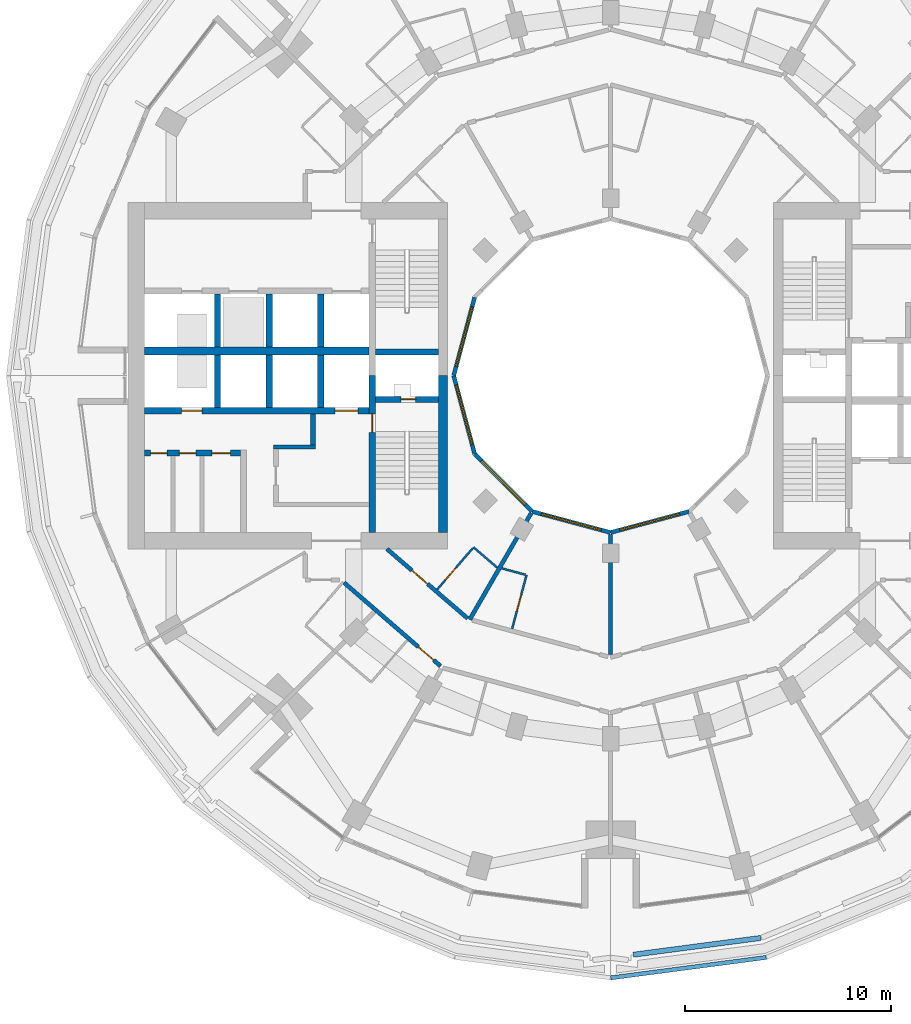
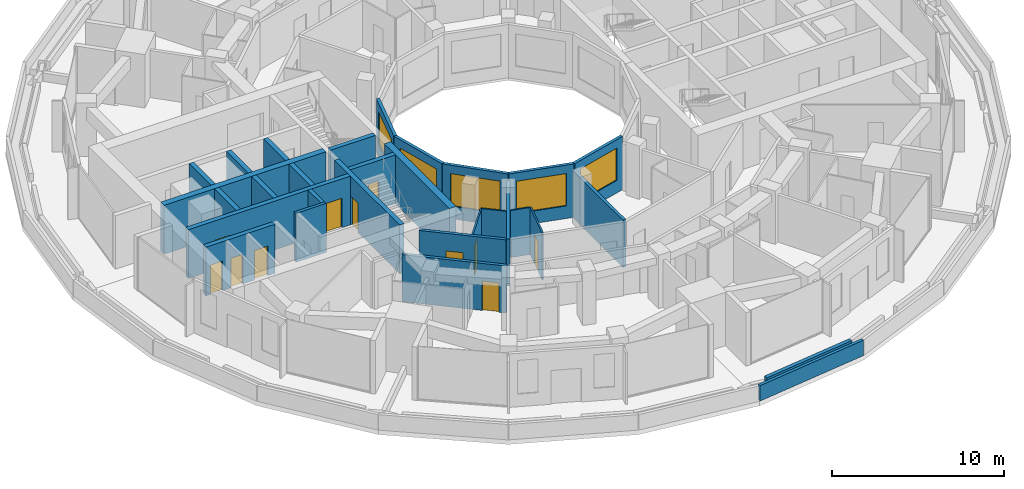
# One storey, part 11 of 19: 30 walls, 11 doors, 5 windows, 16 openings.
"""IFC4 building model written with IfcOpenShell, lengths in metres."""

from ifc_helpers import new_model, si_unit, direction, frame, frame_2d, origin, place, context, subcontext, project, spatial, rectangle, extrude, material, layer, layer_set, type_object, element, fill, save


model = new_model("IFC4")

# Units and contexts
model_context = context("Model", 3, precision=1e-05, world=origin(), true_north=direction((0.0, 1.0)))
body_context = subcontext(model_context, "Body", "Model", "MODEL_VIEW")
ifc_project = project(units=[si_unit("LENGTHUNIT", "METRE"), si_unit("AREAUNIT", "SQUARE_METRE"), si_unit("VOLUMEUNIT", "CUBIC_METRE"), si_unit("PLANEANGLEUNIT", "RADIAN"), si_unit("MASSUNIT", "GRAM", prefix="KILO")], contexts=[model_context])

# Site, building, storey
site_placement = place(None, origin())
site = spatial("IfcSite", under=ifc_project, at=site_placement, CompositionType="ELEMENT")
building_placement = place(site_placement, origin())
building = spatial("IfcBuilding", under=site, at=building_placement, Name="Torre Brocal", CompositionType="ELEMENT")
storey_placement = place(building_placement, frame((0.0, 0.0, 28.800048828125)))
storey = spatial("IfcBuildingStorey", under=building, at=storey_placement, Name="L05", CompositionType="ELEMENT", Elevation=28.800048828125)

# Walls
ifc_material_1 = material(Name="Concrete C80", Category="concrete")
ifc_layer_1 = layer(ifc_material_1, 0.199951171875)
ifc_layer_set_1 = layer_set([ifc_layer_1], Name="Concrete C80")
wall_type_1 = type_object("IfcWallType", Name="CORE WALL 200 C80", PredefinedType="SHEAR", material=ifc_layer_set_1)
wall_1_placement = place(storey_placement, frame((65.699951171875, 71.550048828125, 0.0), z_axis=(0.0, 0.0, 1.0), x_axis=(-1.0, 0.0, 0.0)))
element("IfcWall", 1, at=wall_1_placement, inside=storey, type_object=wall_type_1, Name="Wall CW200-80", PredefinedType="SHEAR", context=body_context, shape_type="SweptSolid", body=[
    extrude(rectangle(XDim=2.050048828125, YDim=0.199951171875, at=frame_2d((1.02490234375, 0.0))), origin(), (0.0, 0.0, 1.0), 3.47998046875),
])
ifc_material_2 = material(Name="Concrete C80", Category="concrete")
ifc_layer_2 = layer(ifc_material_2, 0.25)
ifc_layer_set_2 = layer_set([ifc_layer_2], Name="Concrete C80")
wall_type_2 = type_object("IfcWallType", Name="CORE WALL 250 C80", PredefinedType="SHEAR", material=ifc_layer_set_2)
wall_2_placement = place(storey_placement, frame((65.574951171875, 73.14990234375, 0.0), z_axis=(0.0, 0.0, 1.0), x_axis=(0.0, -1.0, 0.0)))
element("IfcWall", 2, at=wall_2_placement, inside=storey, type_object=wall_type_2, Name="Wall CW250-80", PredefinedType="SHEAR", context=body_context, shape_type="SweptSolid", body=[
    extrude(rectangle(XDim=1.5, YDim=0.25, at=frame_2d((0.75, 0.0))), origin(), (0.0, 0.0, 1.0), 3.47998046875),
])

# Wall, opening, door
ifc_material_3 = material(Name="Concrete C80", Category="concrete")
ifc_layer_3 = layer(ifc_material_3, 0.300048828125)
ifc_layer_set_3 = layer_set([ifc_layer_3], Name="Concrete C80")
wall_type_3 = type_object("IfcWallType", Name="CORE WALL 300 C80", PredefinedType="SHEAR", material=ifc_layer_set_3)
wall_3_placement = place(storey_placement, frame((68.449951171875, 75.0, 0.0), z_axis=(0.0, 0.0, 1.0), x_axis=(0.0, -1.0, 0.0)))
wall_3 = element("IfcWall", 3, at=wall_3_placement, inside=storey, type_object=wall_type_3, Name="Wall CW300-80", PredefinedType="SHEAR", context=body_context, shape_type="SweptSolid", body=[
    extrude(rectangle(XDim=7.60009765625, YDim=0.300048828125, at=frame_2d((3.800048828125, 0.0))), origin(), (0.0, 0.0, 1.0), 3.47998046875),
])
opening_1_placement = place(wall_3_placement, frame((1.85009765625, 0.0, 0.0)))
opening_1 = element("IfcOpeningElement", 4, at=opening_1_placement, cuts=wall_3, Name="Opening W-D02", PredefinedType="OPENING", context=body_context, shape_type="SweptSolid", body=[
    extrude(rectangle(XDim=0.89990234375, YDim=2.10009765625, at=frame_2d((0.449951171875, 1.050048828125))), frame((0.0, 0.159912109375, 0.0), z_axis=(0.0, -1.0, 0.0), x_axis=(1.0, 0.0, 0.0)), (0.0, 0.0, 1.0), 0.320068359375),
])
ifc_material_4 = material(Name="Steel A653", Category="steel")
door_type_1 = type_object("IfcDoorType", Name="STAIR DOOR FD120 900X2100", OperationType="SINGLE_SWING_RIGHT", PredefinedType="DOOR", material=ifc_material_4)
door_1_placement = place(opening_1_placement, origin())
door_1 = element("IfcDoor", 5, at=door_1_placement, inside=storey, type_object=door_type_1, Name="Door W-D02", OperationType="SINGLE_SWING_LEFT", OverallHeight=2.10009765625, OverallWidth=0.89990234375, PredefinedType="DOOR", context=body_context, shape_type="SweptSolid", body=[
    extrude(rectangle(XDim=0.89990234375, YDim=2.10009765625, at=frame_2d((0.449951171875, 1.050048828125))), frame((0.0, 0.02490234375, 0.0), z_axis=(0.0, -1.0, 0.0), x_axis=(1.0, 0.0, 0.0)), (0.0, 0.0, 1.0), 0.050048828125),
])
fill(opening_1, door_1)

wall_4_placement = place(storey_placement, frame((71.64990234375, 73.85009765625, 0.0), z_axis=(0.0, 0.0, 1.0), x_axis=(-1.0, 0.0, 0.0)))
wall_4 = element("IfcWall", 6, at=wall_4_placement, inside=storey, type_object=wall_type_3, Name="Wall CW300-80", PredefinedType="SHEAR", context=body_context, shape_type="SweptSolid", body=[
    extrude(rectangle(XDim=3.0498046875, YDim=0.300048828125, at=frame_2d((1.52490234375, 0.0))), origin(), (0.0, 0.0, 1.0), 3.47998046875),
])
opening_2_placement = place(wall_4_placement, frame((1.10009765625, 0.0, 0.0)))
opening_2 = element("IfcOpeningElement", 7, at=opening_2_placement, cuts=wall_4, Name="Opening W-D01", PredefinedType="OPENING", context=body_context, shape_type="SweptSolid", body=[
    extrude(rectangle(XDim=0.699951171875, YDim=2.0, at=frame_2d((0.35009765625, 1.0))), frame((0.0, 0.159912109375, 0.0), z_axis=(0.0, -1.0, 0.0), x_axis=(1.0, 0.0, 0.0)), (0.0, 0.0, 1.0), 0.320068359375),
])
ifc_material_5 = material(Name="Steel A653", Category="steel")
door_type_2 = type_object("IfcDoorType", Name="RISER DOOR FD120 700X2000", OperationType="SINGLE_SWING_LEFT", PredefinedType="DOOR", material=ifc_material_5)
door_2_placement = place(opening_2_placement, frame((0.699951171875, 0.0, 0.0), z_axis=(0.0, 0.0, 1.0), x_axis=(-1.0, 0.0, 0.0)))
door_2 = element("IfcDoor", 8, at=door_2_placement, inside=storey, type_object=door_type_2, Name="Door W-D01", OperationType="SINGLE_SWING_RIGHT", OverallHeight=2.0, OverallWidth=0.699951171875, PredefinedType="DOOR", context=body_context, shape_type="SweptSolid", body=[
    extrude(rectangle(XDim=0.699951171875, YDim=2.0, at=frame_2d((0.35009765625, 1.0))), frame((0.0, 0.02490234375, 0.0), z_axis=(0.0, -1.0, 0.0), x_axis=(1.0, 0.0, 0.0)), (0.0, 0.0, 1.0), 0.050048828125),
])
fill(opening_2, door_2)

# Wall
wall_5_placement = place(storey_placement, frame((71.64990234375, 76.14990234375, 0.0), z_axis=(0.0, 0.0, 1.0), x_axis=(-1.0, 0.0, 0.0)))
element("IfcWall", 9, at=wall_5_placement, inside=storey, type_object=wall_type_3, Name="Wall CW300-80", PredefinedType="SHEAR", context=body_context, shape_type="SweptSolid", body=[
    extrude(rectangle(XDim=3.0498046875, YDim=0.300048828125, at=frame_2d((1.52490234375, 0.0))), origin(), (0.0, 0.0, 1.0), 3.47998046875),
])

# Wall, openings, doors
wall_6_placement = place(storey_placement, frame((68.300048828125, 73.300048828125, 0.0), z_axis=(0.0, 0.0, 1.0), x_axis=(-1.0, 0.0, 0.0)))
wall_6 = element("IfcWall", 10, at=wall_6_placement, inside=storey, type_object=wall_type_3, Name="Wall CW300-80", PredefinedType="SHEAR", context=body_context, shape_type="SweptSolid", body=[
    extrude(rectangle(XDim=10.900146484375, YDim=0.300048828125, at=frame_2d((5.4501953125, 0.0))), origin(), (0.0, 0.0, 1.0), 3.47998046875),
])
opening_3_placement = place(wall_6_placement, frame((0.550048828125, 0.0, 0.0)))
opening_3 = element("IfcOpeningElement", 11, at=opening_3_placement, cuts=wall_6, Name="Opening LD", PredefinedType="OPENING", context=body_context, shape_type="SweptSolid", body=[
    extrude(rectangle(XDim=1.10009765625, YDim=2.10009765625, at=frame_2d((0.550048828125, 1.050048828125))), frame((0.0, 0.159912109375, 0.0), z_axis=(0.0, -1.0, 0.0), x_axis=(1.0, 0.0, 0.0)), (0.0, 0.0, 1.0), 0.320068359375),
])
opening_4_placement = place(wall_6_placement, frame((8.10009765625, 0.0, 0.0)))
opening_4 = element("IfcOpeningElement", 12, at=opening_4_placement, cuts=wall_6, Name="Opening LD10", PredefinedType="OPENING", context=body_context, shape_type="SweptSolid", body=[
    extrude(rectangle(XDim=1.0, YDim=2.10009765625, at=frame_2d((0.5, 1.050048828125))), frame((0.0, 0.159912109375, 0.0), z_axis=(0.0, -1.0, 0.0), x_axis=(1.0, 0.0, 0.0)), (0.0, 0.0, 1.0), 0.320068359375),
])
ifc_material_6 = material(Name="Stainless steel AISI 316", Category="steel")
door_type_3 = type_object("IfcDoorType", Name="LIFT LANDING DOOR 1000X2100", OperationType="DOUBLE_DOOR_SLIDING", PredefinedType="DOOR", material=ifc_material_6)
door_3_placement = place(opening_4_placement, origin())
door_3 = element("IfcDoor", 13, at=door_3_placement, inside=storey, type_object=door_type_3, Name="Door LD10", OperationType="DOUBLE_DOOR_SLIDING", OverallHeight=2.10009765625, OverallWidth=1.0, PredefinedType="DOOR", context=body_context, shape_type="SweptSolid", body=[
    extrude(rectangle(XDim=1.0, YDim=2.10009765625, at=frame_2d((0.5, 1.050048828125))), frame((0.0, 0.02490234375, 0.0), z_axis=(0.0, -1.0, 0.0), x_axis=(1.0, 0.0, 0.0)), (0.0, 0.0, 1.0), 0.050048828125),
])
fill(opening_4, door_3)
ifc_material_7 = material(Name="Stainless steel AISI 316", Category="steel")
door_type_4 = type_object("IfcDoorType", Name="LIFT LANDING DOOR 1100X2100", OperationType="DOUBLE_DOOR_SLIDING", PredefinedType="DOOR", material=ifc_material_7)
door_4_placement = place(opening_3_placement, origin())
door_4 = element("IfcDoor", 14, at=door_4_placement, inside=storey, type_object=door_type_4, Name="Door LD", OperationType="DOUBLE_DOOR_SLIDING", OverallHeight=2.10009765625, OverallWidth=1.10009765625, PredefinedType="DOOR", context=body_context, shape_type="SweptSolid", body=[
    extrude(rectangle(XDim=1.10009765625, YDim=2.10009765625, at=frame_2d((0.550048828125, 1.050048828125))), frame((0.0, 0.02490234375, 0.0), z_axis=(0.0, -1.0, 0.0), x_axis=(1.0, 0.0, 0.0)), (0.0, 0.0, 1.0), 0.050048828125),
])
fill(opening_3, door_4)

# Walls
for number, where, z_axis, x_axis, name in (
    (15, (65.949951171875, 76.0, 0.0), (0.0, 0.0, 1.0), (0.0, -1.0, 0.0), "Wall CW300-80"),
    (16, (63.449951171875, 76.0, 0.0), (0.0, 0.0, 1.0), (0.0, -1.0, 0.0), "Wall CW300-80"),
    (17, (60.949951171875, 76.0, 0.0), (0.0, 0.0, 1.0), (0.0, -1.0, 0.0), "Wall CW300-80"),
    (18, (65.949951171875, 78.949951171875, 0.0), (0.0, 0.0, 1.0), (0.0, -1.0, 0.0), "Wall CW300-80"),
    (19, (63.449951171875, 78.949951171875, 0.0), (0.0, 0.0, 1.0), (0.0, -1.0, 0.0), "Wall CW300-80"),
    (20, (60.949951171875, 78.949951171875, 0.0), (0.0, 0.0, 1.0), (0.0, -1.0, 0.0), "Wall CW300-80"),
):
    element("IfcWall", number, at=place(storey_placement, frame(where, z_axis=z_axis, x_axis=x_axis)), inside=storey, type_object=wall_type_3, Name=name, PredefinedType="SHEAR", context=body_context, shape_type="SweptSolid", body=[
        extrude(rectangle(XDim=2.550048828125, YDim=0.300048828125, at=frame_2d((1.27490234375, 0.0))), origin(), (0.0, 0.0, 1.0), 3.47998046875),
    ])

# Wall, openings, doors
wall_7_placement = place(storey_placement, frame((62.050048828125, 71.25, 0.0), z_axis=(0.0, 0.0, 1.0), x_axis=(-1.0, 0.0, 0.0)))
wall_7 = element("IfcWall", 21, at=wall_7_placement, inside=storey, type_object=wall_type_3, Name="Wall CW300-80", PredefinedType="SHEAR", context=body_context, shape_type="SweptSolid", body=[
    extrude(rectangle(XDim=4.650146484375, YDim=0.300048828125, at=frame_2d((2.3251953125, 0.0))), origin(), (0.0, 0.0, 1.0), 3.47998046875),
])
opening_5_placement = place(wall_7_placement, frame((0.47998046875, 0.0, 0.0)))
opening_5 = element("IfcOpeningElement", 22, at=opening_5_placement, cuts=wall_7, Name="Opening W-D05", PredefinedType="OPENING", context=body_context, shape_type="SweptSolid", body=[
    extrude(rectangle(XDim=0.89990234375, YDim=2.10009765625, at=frame_2d((0.449951171875, 1.050048828125))), frame((0.0, 0.159912109375, 0.0), z_axis=(0.0, -1.0, 0.0), x_axis=(1.0, 0.0, 0.0)), (0.0, 0.0, 1.0), 0.320068359375),
])
opening_6_placement = place(wall_7_placement, frame((2.157470703125, 0.0, 0.0)))
opening_6 = element("IfcOpeningElement", 23, at=opening_6_placement, cuts=wall_7, Name="Opening W-D22", PredefinedType="OPENING", context=body_context, shape_type="SweptSolid", body=[
    extrude(rectangle(XDim=0.800048828125, YDim=2.10009765625, at=frame_2d((0.39990234375, 1.050048828125))), frame((0.0, 0.159912109375, 0.0), z_axis=(0.0, -1.0, 0.0), x_axis=(1.0, 0.0, 0.0)), (0.0, 0.0, 1.0), 0.320068359375),
])
opening_7_placement = place(wall_7_placement, frame((3.552490234375, 0.0, 0.0)))
opening_7 = element("IfcOpeningElement", 24, at=opening_7_placement, cuts=wall_7, Name="Opening W-D25", PredefinedType="OPENING", context=body_context, shape_type="SweptSolid", body=[
    extrude(rectangle(XDim=0.800048828125, YDim=2.10009765625, at=frame_2d((0.39990234375, 1.050048828125))), frame((0.0, 0.159912109375, 0.0), z_axis=(0.0, -1.0, 0.0), x_axis=(1.0, 0.0, 0.0)), (0.0, 0.0, 1.0), 0.320068359375),
])
ifc_material_8 = material(Name="Steel A653", Category="steel")
door_type_5 = type_object("IfcDoorType", Name="ROOM DOOR FD30S 800X2100", OperationType="SINGLE_SWING_LEFT", PredefinedType="DOOR", material=ifc_material_8)
door_5_placement = place(opening_6_placement, origin())
door_5 = element("IfcDoor", 25, at=door_5_placement, inside=storey, type_object=door_type_5, Name="Door W-D22", OperationType="SINGLE_SWING_RIGHT", OverallHeight=2.10009765625, OverallWidth=0.800048828125, PredefinedType="DOOR", context=body_context, shape_type="SweptSolid", body=[
    extrude(rectangle(XDim=0.800048828125, YDim=2.10009765625, at=frame_2d((0.39990234375, 1.050048828125))), frame((0.0, 0.02490234375, 0.0), z_axis=(0.0, -1.0, 0.0), x_axis=(1.0, 0.0, 0.0)), (0.0, 0.0, 1.0), 0.050048828125),
])
fill(opening_6, door_5)
door_6_placement = place(opening_7_placement, origin())
door_6 = element("IfcDoor", 26, at=door_6_placement, inside=storey, type_object=door_type_5, Name="Door W-D25", OperationType="SINGLE_SWING_LEFT", OverallHeight=2.10009765625, OverallWidth=0.800048828125, PredefinedType="DOOR", context=body_context, shape_type="SweptSolid", body=[
    extrude(rectangle(XDim=0.800048828125, YDim=2.10009765625, at=frame_2d((0.39990234375, 1.050048828125))), frame((0.0, 0.02490234375, 0.0), z_axis=(0.0, -1.0, 0.0), x_axis=(1.0, 0.0, 0.0)), (0.0, 0.0, 1.0), 0.050048828125),
])
fill(opening_7, door_6)
ifc_material_9 = material(Name="Steel A653", Category="steel")
door_type_6 = type_object("IfcDoorType", Name="ROOM DOOR FD30S 900X2100", OperationType="SINGLE_SWING_LEFT", PredefinedType="DOOR", material=ifc_material_9)
door_7_placement = place(opening_5_placement, origin())
door_7 = element("IfcDoor", 27, at=door_7_placement, inside=storey, type_object=door_type_6, Name="Door W-D05", OperationType="SINGLE_SWING_RIGHT", OverallHeight=2.10009765625, OverallWidth=0.89990234375, PredefinedType="DOOR", context=body_context, shape_type="SweptSolid", body=[
    extrude(rectangle(XDim=0.89990234375, YDim=2.10009765625, at=frame_2d((0.449951171875, 1.050048828125))), frame((0.0, 0.02490234375, 0.0), z_axis=(0.0, -1.0, 0.0), x_axis=(1.0, 0.0, 0.0)), (0.0, 0.0, 1.0), 0.050048828125),
])
fill(opening_5, door_7)

# Walls
ifc_material_10 = material(Name="Concrete C80", Category="concrete")
ifc_layer_4 = layer(ifc_material_10, 0.39990234375)
ifc_layer_set_4 = layer_set([ifc_layer_4], Name="Concrete C80")
wall_type_4 = type_object("IfcWallType", Name="CORE WALL 400 C80", PredefinedType="SHEAR", material=ifc_layer_set_4)
wall_8_placement = place(storey_placement, frame((68.300048828125, 76.199951171875, 0.0), z_axis=(0.0, 0.0, 1.0), x_axis=(-1.0, 0.0, 0.0)))
element("IfcWall", 28, at=wall_8_placement, inside=storey, type_object=wall_type_4, Name="Wall CW400-80", PredefinedType="SHEAR", context=body_context, shape_type="SweptSolid", body=[
    extrude(rectangle(XDim=10.900146484375, YDim=0.39990234375, at=frame_2d((5.4501953125, 0.0))), origin(), (0.0, 0.0, 1.0), 3.47998046875),
])
ifc_material_11 = material(Name="Concrete C80", Category="concrete")
ifc_layer_5 = layer(ifc_material_11, 0.449951171875)
ifc_layer_set_5 = layer_set([ifc_layer_5], Name="Concrete C80")
wall_type_5 = type_object("IfcWallType", Name="CORE WALL 450 C80", PredefinedType="SHEAR", material=ifc_layer_set_5)
wall_9_placement = place(storey_placement, frame((71.875, 75.0, 0.0), z_axis=(0.0, 0.0, 1.0), x_axis=(0.0, -1.0, 0.0)))
element("IfcWall", 29, at=wall_9_placement, inside=storey, type_object=wall_type_5, Name="Wall CW450-80", PredefinedType="SHEAR", context=body_context, shape_type="SweptSolid", body=[
    extrude(rectangle(XDim=7.60009765625, YDim=0.449951171875, at=frame_2d((3.800048828125, 0.0))), origin(), (0.0, 0.0, 1.0), 3.47998046875),
])
ifc_material_12 = material(Name="Concrete C40", Category="concrete")
ifc_layer_6 = layer(ifc_material_12, 0.199951171875)
ifc_layer_set_6 = layer_set([ifc_layer_6], Name="Concrete C40")
wall_type_6 = type_object("IfcWallType", Name="PARAPET WALL 200 THICK 1100 HIGH 6", PredefinedType="PARAPET", material=ifc_layer_set_6)
wall_10_placement = place(storey_placement, frame((87.543701171875, 46.795654296875, 0.0), z_axis=(0.0, 0.0, 1.0), x_axis=(-0.991444665631, -0.130527679023, 0.0)))
element("IfcWall", 30, at=wall_10_placement, inside=storey, type_object=wall_type_6, Name="PARAPET WALL 6", PredefinedType="PARAPET", context=body_context, shape_type="SweptSolid", body=[
    extrude(rectangle(XDim=7.595703125, YDim=0.199951171875, at=frame_2d((3.7978515625, 0.0))), origin(), (0.0, 0.0, 1.0), 1.099853515625),
])

# Wall, opening, door
ifc_material_13 = material(Name="Gypsum board", Category="Gypsum")
ifc_layer_7 = layer(ifc_material_13, 0.10009765625)
ifc_layer_set_7 = layer_set([ifc_layer_7], Name="Gypsum board")
wall_type_7 = type_object("IfcWallType", Name="PARTITION 100", PredefinedType="PARTITIONING", material=ifc_layer_set_7)
wall_11_placement = place(storey_placement, frame((71.59619140625, 64.634765625, 0.0), z_axis=(0.0, 0.0, 1.0), x_axis=(0.652285007511, 0.757973791748, 0.0)))
wall_11 = element("IfcWall", 31, at=wall_11_placement, inside=storey, type_object=wall_type_7, Name="BATHROOM WALL", PredefinedType="PARTITIONING", context=body_context, shape_type="SweptSolid", body=[
    extrude(rectangle(XDim=2.649658203125, YDim=0.10009765625, at=frame_2d((1.32470703125, 0.0))), origin(), (0.0, 0.0, 1.0), 3.349853515625),
])
opening_8_placement = place(wall_11_placement, frame((0.599609375, 0.0, 0.0)))
opening_8 = element("IfcOpeningElement", 32, at=opening_8_placement, cuts=wall_11, Name="Opening H01-D49", PredefinedType="OPENING", context=body_context, shape_type="SweptSolid", body=[
    extrude(rectangle(XDim=0.800048828125, YDim=2.10009765625, at=frame_2d((0.39990234375, 1.050048828125))), frame((0.0, 0.06005859375, 0.0), z_axis=(0.0, -1.0, 0.0), x_axis=(1.0, 0.0, 0.0)), (0.0, 0.0, 1.0), 0.1201171875),
])
ifc_material_14 = material(Name="Timber", Category="wood")
door_type_7 = type_object("IfcDoorType", Name="BATHROOM DOOR 800X2100", OperationType="SINGLE_SWING_LEFT", PredefinedType="DOOR", material=ifc_material_14)
door_8_placement = place(opening_8_placement, frame((0.800048828125, 0.0, 0.0), z_axis=(0.0, 0.0, 1.0), x_axis=(-1.0, 0.0, 0.0)))
door_8 = element("IfcDoor", 33, at=door_8_placement, inside=storey, type_object=door_type_7, Name="H01-D49", OperationType="SINGLE_SWING_RIGHT", OverallHeight=2.10009765625, OverallWidth=0.800048828125, PredefinedType="DOOR", context=body_context, shape_type="SweptSolid", body=[
    extrude(rectangle(XDim=0.800048828125, YDim=2.10009765625, at=frame_2d((0.39990234375, 1.050048828125))), frame((0.0, 0.02490234375, 0.0), z_axis=(0.0, -1.0, 0.0), x_axis=(1.0, 0.0, 0.0)), (0.0, 0.0, 1.0), 0.050048828125),
])
fill(opening_8, door_8)

# Walls
wall_12_placement = place(storey_placement, frame((73.35693359375, 66.680908203125, 0.0), z_axis=(0.0, 0.0, 1.0), x_axis=(0.758263469747, -0.651948242154, 0.0)))
element("IfcWall", 34, at=wall_12_placement, inside=storey, type_object=wall_type_7, Name="BATHROOM WALL", PredefinedType="PARTITIONING", context=body_context, shape_type="SweptSolid", body=[
    extrude(rectangle(XDim=1.510986328125, YDim=0.10009765625, at=frame_2d((0.75537109375, 0.0))), origin(), (0.0, 0.0, 1.0), 3.349853515625),
])
wall_13_placement = place(storey_placement, frame((74.729248046875, 65.657470703125, 0.0), z_axis=(0.0, 0.0, 1.0), x_axis=(0.965948051503, -0.258736085224, 0.0)))
element("IfcWall", 35, at=wall_13_placement, inside=storey, type_object=wall_type_7, Name="BATHROOM WALL", PredefinedType="PARTITIONING", context=body_context, shape_type="SweptSolid", body=[
    extrude(rectangle(XDim=1.18896484375, YDim=0.10009765625, at=frame_2d((0.594482421875, 0.0))), origin(), (0.0, 0.0, 1.0), 3.349853515625),
])

# Wall, opening, door
wall_14_placement = place(storey_placement, frame((75.226806640625, 62.728759765625, 0.0), z_axis=(0.0, 0.0, 1.0), x_axis=(0.258945475746, 0.965891940432, 0.0)))
wall_14 = element("IfcWall", 36, at=wall_14_placement, inside=storey, type_object=wall_type_7, Name="BATHROOM WALL", PredefinedType="PARTITIONING", context=body_context, shape_type="SweptSolid", body=[
    extrude(rectangle(XDim=2.7001953125, YDim=0.10009765625, at=frame_2d((1.35009765625, 0.0))), origin(), (0.0, 0.0, 1.0), 3.349853515625),
])
opening_9_placement = place(wall_14_placement, frame((0.900146484375, 0.0, 0.0)))
opening_9 = element("IfcOpeningElement", 37, at=opening_9_placement, cuts=wall_14, Name="Opening H01-D47", PredefinedType="OPENING", context=body_context, shape_type="SweptSolid", body=[
    extrude(rectangle(XDim=0.800048828125, YDim=2.10009765625, at=frame_2d((0.39990234375, 1.050048828125))), frame((0.0, 0.06005859375, 0.0), z_axis=(0.0, -1.0, 0.0), x_axis=(1.0, 0.0, 0.0)), (0.0, 0.0, 1.0), 0.1201171875),
])
door_9_placement = place(opening_9_placement, origin())
door_9 = element("IfcDoor", 38, at=door_9_placement, inside=storey, type_object=door_type_7, Name="H01-D47", OperationType="SINGLE_SWING_LEFT", OverallHeight=2.10009765625, OverallWidth=0.800048828125, PredefinedType="DOOR", context=body_context, shape_type="SweptSolid", body=[
    extrude(rectangle(XDim=0.800048828125, YDim=2.10009765625, at=frame_2d((0.39990234375, 1.050048828125))), frame((0.0, 0.02490234375, 0.0), z_axis=(0.0, -1.0, 0.0), x_axis=(1.0, 0.0, 0.0)), (0.0, 0.0, 1.0), 0.050048828125),
])
fill(opening_9, door_9)

ifc_material_15 = material(Name="Gypsum board", Category="Gypsum")
ifc_layer_8 = layer(ifc_material_15, 0.199951171875)
ifc_layer_set_8 = layer_set([ifc_layer_8], Name="Gypsum board")
wall_type_8 = type_object("IfcWallType", Name="PARTITION 200 EI60", PredefinedType="PARTITIONING", material=ifc_layer_set_8)
wall_15_placement = place(storey_placement, frame((67.078125, 64.967529296875, 0.0), z_axis=(0.0, 0.0, 1.0), x_axis=(0.756371089567, -0.654142778656, 0.0)))
wall_15 = element("IfcWall", 39, at=wall_15_placement, inside=storey, type_object=wall_type_8, Name="GUESTROOM CORRIDOR WALL", PredefinedType="PARTITIONING", context=body_context, shape_type="SweptSolid", body=[
    extrude(rectangle(XDim=6.185302734375, YDim=0.199951171875, at=frame_2d((3.0927734375, 0.0))), origin(), (0.0, 0.0, 1.0), 3.349853515625),
])
opening_10_placement = place(wall_15_placement, frame((4.755126953125, 0.0, 0.0)))
opening_10 = element("IfcOpeningElement", 40, at=opening_10_placement, cuts=wall_15, Name="Opening H01-D38", PredefinedType="OPENING", context=body_context, shape_type="SweptSolid", body=[
    extrude(rectangle(XDim=1.0, YDim=2.10009765625, at=frame_2d((0.5, 1.050048828125))), frame((0.0, 0.10986328125, 0.0), z_axis=(0.0, -1.0, 0.0), x_axis=(1.0, 0.0, 0.0)), (0.0, 0.0, 1.0), 0.219970703125),
])
ifc_material_16 = material(Name="Timber", Category="wood")
door_type_8 = type_object("IfcDoorType", Name="FLAT ENTRY DOOR FD30S 1000X2100", OperationType="SINGLE_SWING_RIGHT", PredefinedType="DOOR", material=ifc_material_16)
door_10_placement = place(opening_10_placement, frame((1.0, 0.0, 0.0), z_axis=(0.0, 0.0, 1.0), x_axis=(-1.0, 0.0, 0.0)))
door_10 = element("IfcDoor", 41, at=door_10_placement, inside=storey, type_object=door_type_8, Name="H01-D38", OperationType="SINGLE_SWING_LEFT", OverallHeight=2.10009765625, OverallWidth=1.0, PredefinedType="DOOR", context=body_context, shape_type="SweptSolid", body=[
    extrude(rectangle(XDim=1.0, YDim=2.10009765625, at=frame_2d((0.5, 1.050048828125))), frame((0.0, 0.02490234375, 0.0), z_axis=(0.0, -1.0, 0.0), x_axis=(1.0, 0.0, 0.0)), (0.0, 0.0, 1.0), 0.050048828125),
])
fill(opening_10, door_10)

wall_16_placement = place(storey_placement, frame((69.158203125, 66.60009765625, 0.0), z_axis=(0.0, 0.0, 1.0), x_axis=(0.757976058094, -0.652282373943, 0.0)))
wall_16 = element("IfcWall", 42, at=wall_16_placement, inside=storey, type_object=wall_type_8, Name="GUESTROOM CORRIDOR WALL", PredefinedType="PARTITIONING", context=body_context, shape_type="SweptSolid", body=[
    extrude(rectangle(XDim=5.160400390625, YDim=0.199951171875, at=frame_2d((2.580078125, 0.0))), origin(), (0.0, 0.0, 1.0), 3.349853515625),
])
opening_11_placement = place(wall_16_placement, frame((1.60009765625, 0.0, 0.0)))
opening_11 = element("IfcOpeningElement", 43, at=opening_11_placement, cuts=wall_16, Name="Opening H01-D48", PredefinedType="OPENING", context=body_context, shape_type="SweptSolid", body=[
    extrude(rectangle(XDim=1.0, YDim=2.10009765625, at=frame_2d((0.5, 1.050048828125))), frame((0.0, 0.10986328125, 0.0), z_axis=(0.0, -1.0, 0.0), x_axis=(1.0, 0.0, 0.0)), (0.0, 0.0, 1.0), 0.219970703125),
])
door_11_placement = place(opening_11_placement, origin())
door_11 = element("IfcDoor", 44, at=door_11_placement, inside=storey, type_object=door_type_8, Name="H01-D48", OperationType="SINGLE_SWING_RIGHT", OverallHeight=2.10009765625, OverallWidth=1.0, PredefinedType="DOOR", context=body_context, shape_type="SweptSolid", body=[
    extrude(rectangle(XDim=1.0, YDim=2.10009765625, at=frame_2d((0.5, 1.050048828125))), frame((0.0, 0.02490234375, 0.0), z_axis=(0.0, -1.0, 0.0), x_axis=(1.0, 0.0, 0.0)), (0.0, 0.0, 1.0), 0.050048828125),
])
fill(opening_11, door_11)

# Walls
wall_17_placement = place(storey_placement, frame((73.1708984375, 63.17724609375, 0.0), z_axis=(0.0, 0.0, 1.0), x_axis=(0.500257106344, 0.865876912472, 0.0)))
element("IfcWall", 45, at=wall_17_placement, inside=storey, type_object=wall_type_8, Name="BATHROOM WALL", PredefinedType="PARTITIONING", context=body_context, shape_type="SweptSolid", body=[
    extrude(rectangle(XDim=5.954833984375, YDim=0.199951171875, at=frame_2d((2.9775390625, 0.0))), origin(), (0.0, 0.0, 1.0), 3.349853515625),
])
wall_18_placement = place(storey_placement, frame((80.0, 61.47607421875, 0.0), z_axis=(0.0, 0.0, 1.0), x_axis=(0.0, 1.0, 0.0)))
element("IfcWall", 46, at=wall_18_placement, inside=storey, type_object=wall_type_8, Name="PARTY PARTITION", PredefinedType="PARTITIONING", context=body_context, shape_type="SweptSolid", body=[
    extrude(rectangle(XDim=5.824951171875, YDim=0.199951171875, at=frame_2d((2.91259765625, 0.0))), origin(), (0.0, 0.0, 1.0), 3.349853515625),
])
ifc_material_17 = material(Name="Concrete C35", Category="concrete")
ifc_layer_9 = layer(ifc_material_17, 0.25)
ifc_layer_set_9 = layer_set([ifc_layer_9], Name="Concrete C35")
wall_type_9 = type_object("IfcWallType", Name="PLANTER WALL 250 THICK 600 HIGH 6", PredefinedType="USERDEFINED", material=ifc_layer_set_9)
wall_19_placement = place(storey_placement, frame((87.287353515625, 47.740478515625, 0.0), z_axis=(0.0, 0.0, 1.0), x_axis=(-0.991444158753, -0.130531529041, 0.0)))
element("IfcWall", 47, at=wall_19_placement, inside=storey, type_object=wall_type_9, Name="PLANTER", ObjectType="PLANTER", PredefinedType="USERDEFINED", context=body_context, shape_type="SweptSolid", body=[
    extrude(rectangle(XDim=6.23193359375, YDim=0.25, at=frame_2d((3.115966796875, 0.0))), origin(), (0.0, 0.0, 1.0), 0.599853515625),
])

# Wall, opening, window
ifc_material_18 = material(Name="Concrete C40", Category="concrete")
ifc_layer_10 = layer(ifc_material_18, 0.199951171875)
ifc_layer_set_10 = layer_set([ifc_layer_10], Name="Concrete C40")
wall_type_10 = type_object("IfcWallType", Name="WELL FACADE WALL 200", PredefinedType="NOTDEFINED", material=ifc_layer_set_10)
wall_20_placement = place(storey_placement, frame((73.4150390625, 78.8017578125, 0.0), z_axis=(0.0, 0.0, 1.0), x_axis=(-0.258789828301, -0.965933654434, 0.0)))
wall_20 = element("IfcWall", 48, at=wall_20_placement, inside=storey, type_object=wall_type_10, Name="WELL FACADE WALL", PredefinedType="NOTDEFINED", context=body_context, shape_type="SweptSolid", body=[
    extrude(rectangle(XDim=3.935791015625, YDim=0.199951171875, at=frame_2d((1.9677734375, 0.0))), origin(), (0.0, 0.0, 1.0), 3.800048828125),
])
opening_12_placement = place(wall_20_placement, frame((0.468017578125, 0.0, 0.89990234375)))
opening_12 = element("IfcOpeningElement", 49, at=opening_12_placement, cuts=wall_20, Name="Opening W1", PredefinedType="OPENING", context=body_context, shape_type="SweptSolid", body=[
    extrude(rectangle(XDim=3.0, YDim=2.300048828125, at=frame_2d((1.5, 1.14990234375))), frame((0.0, 0.10986328125, 0.0), z_axis=(0.0, -1.0, 0.0), x_axis=(1.0, 0.0, 0.0)), (0.0, 0.0, 1.0), 0.219970703125),
])
ifc_material_19 = material(Name="Aluminium and glass", Category="aluminium")
window_type = type_object("IfcWindowType", Name="WELL WINDOW 3000X2300", PartitioningType="SINGLE_PANEL", PredefinedType="WINDOW", material=ifc_material_19)
window_1_placement = place(opening_12_placement, origin())
window_1 = element("IfcWindow", 50, at=window_1_placement, inside=storey, type_object=window_type, Name="WELL WINDOW 3000X2300", OverallHeight=2.300048828125, OverallWidth=3.0, PartitioningType="SINGLE_PANEL", PredefinedType="WINDOW", context=body_context, shape_type="SweptSolid", body=[
    extrude(rectangle(XDim=3.0, YDim=2.300048828125, at=frame_2d((1.5, 1.14990234375))), frame((0.0, 0.030029296875, 0.0), z_axis=(0.0, -1.0, 0.0), x_axis=(1.0, 0.0, 0.0)), (0.0, 0.0, 1.0), 0.06005859375),
])
fill(opening_12, window_1)

wall_21_placement = place(storey_placement, frame((72.396484375, 75.0, 0.0), z_axis=(0.0, 0.0, 1.0), x_axis=(0.258789828301, -0.965933654434, 0.0)))
wall_21 = element("IfcWall", 51, at=wall_21_placement, inside=storey, type_object=wall_type_10, Name="WELL FACADE WALL", PredefinedType="NOTDEFINED", context=body_context, shape_type="SweptSolid", body=[
    extrude(rectangle(XDim=3.935791015625, YDim=0.199951171875, at=frame_2d((1.9677734375, 0.0))), origin(), (0.0, 0.0, 1.0), 3.800048828125),
])
opening_13_placement = place(wall_21_placement, frame((0.468017578125, 0.0, 0.89990234375)))
opening_13 = element("IfcOpeningElement", 52, at=opening_13_placement, cuts=wall_21, Name="Opening W1", PredefinedType="OPENING", context=body_context, shape_type="SweptSolid", body=[
    extrude(rectangle(XDim=3.0, YDim=2.300048828125, at=frame_2d((1.5, 1.14990234375))), frame((0.0, 0.10986328125, 0.0), z_axis=(0.0, -1.0, 0.0), x_axis=(1.0, 0.0, 0.0)), (0.0, 0.0, 1.0), 0.219970703125),
])
window_2_placement = place(opening_13_placement, origin())
window_2 = element("IfcWindow", 53, at=window_2_placement, inside=storey, type_object=window_type, Name="WELL WINDOW 3000X2300", OverallHeight=2.300048828125, OverallWidth=3.0, PartitioningType="SINGLE_PANEL", PredefinedType="WINDOW", context=body_context, shape_type="SweptSolid", body=[
    extrude(rectangle(XDim=3.0, YDim=2.300048828125, at=frame_2d((1.5, 1.14990234375))), frame((0.0, 0.030029296875, 0.0), z_axis=(0.0, -1.0, 0.0), x_axis=(1.0, 0.0, 0.0)), (0.0, 0.0, 1.0), 0.06005859375),
])
fill(opening_13, window_2)

wall_22_placement = place(storey_placement, frame((73.4150390625, 71.1982421875, 0.0), z_axis=(0.0, 0.0, 1.0), x_axis=(0.707106781187, -0.707106781187, 0.0)))
wall_22 = element("IfcWall", 54, at=wall_22_placement, inside=storey, type_object=wall_type_10, Name="WELL FACADE WALL", PredefinedType="NOTDEFINED", context=body_context, shape_type="SweptSolid", body=[
    extrude(rectangle(XDim=3.93603515625, YDim=0.199951171875, at=frame_2d((1.968017578125, 0.0))), origin(), (0.0, 0.0, 1.0), 3.800048828125),
])
opening_14_placement = place(wall_22_placement, frame((0.468017578125, 0.0, 0.89990234375)))
opening_14 = element("IfcOpeningElement", 55, at=opening_14_placement, cuts=wall_22, Name="Opening W1", PredefinedType="OPENING", context=body_context, shape_type="SweptSolid", body=[
    extrude(rectangle(XDim=3.0, YDim=2.300048828125, at=frame_2d((1.5, 1.14990234375))), frame((0.0, 0.10986328125, 0.0), z_axis=(0.0, -1.0, 0.0), x_axis=(1.0, 0.0, 0.0)), (0.0, 0.0, 1.0), 0.219970703125),
])
window_3_placement = place(opening_14_placement, origin())
window_3 = element("IfcWindow", 56, at=window_3_placement, inside=storey, type_object=window_type, Name="WELL WINDOW 3000X2300", OverallHeight=2.300048828125, OverallWidth=3.0, PartitioningType="SINGLE_PANEL", PredefinedType="WINDOW", context=body_context, shape_type="SweptSolid", body=[
    extrude(rectangle(XDim=3.0, YDim=2.300048828125, at=frame_2d((1.5, 1.14990234375))), frame((0.0, 0.030029296875, 0.0), z_axis=(0.0, -1.0, 0.0), x_axis=(1.0, 0.0, 0.0)), (0.0, 0.0, 1.0), 0.06005859375),
])
fill(opening_14, window_3)

wall_23_placement = place(storey_placement, frame((76.1982421875, 68.4150390625, 0.0), z_axis=(0.0, 0.0, 1.0), x_axis=(0.965933654434, -0.258789828301, 0.0)))
wall_23 = element("IfcWall", 57, at=wall_23_placement, inside=storey, type_object=wall_type_10, Name="WELL FACADE WALL", PredefinedType="NOTDEFINED", context=body_context, shape_type="SweptSolid", body=[
    extrude(rectangle(XDim=3.935791015625, YDim=0.199951171875, at=frame_2d((1.9677734375, 0.0))), origin(), (0.0, 0.0, 1.0), 3.800048828125),
])
opening_15_placement = place(wall_23_placement, frame((0.468017578125, 0.0, 0.89990234375)))
opening_15 = element("IfcOpeningElement", 58, at=opening_15_placement, cuts=wall_23, Name="Opening W1", PredefinedType="OPENING", context=body_context, shape_type="SweptSolid", body=[
    extrude(rectangle(XDim=3.0, YDim=2.300048828125, at=frame_2d((1.5, 1.14990234375))), frame((0.0, 0.10986328125, 0.0), z_axis=(0.0, -1.0, 0.0), x_axis=(1.0, 0.0, 0.0)), (0.0, 0.0, 1.0), 0.219970703125),
])
window_4_placement = place(opening_15_placement, origin())
window_4 = element("IfcWindow", 59, at=window_4_placement, inside=storey, type_object=window_type, Name="WELL WINDOW 3000X2300", OverallHeight=2.300048828125, OverallWidth=3.0, PartitioningType="SINGLE_PANEL", PredefinedType="WINDOW", context=body_context, shape_type="SweptSolid", body=[
    extrude(rectangle(XDim=3.0, YDim=2.300048828125, at=frame_2d((1.5, 1.14990234375))), frame((0.0, 0.030029296875, 0.0), z_axis=(0.0, -1.0, 0.0), x_axis=(1.0, 0.0, 0.0)), (0.0, 0.0, 1.0), 0.06005859375),
])
fill(opening_15, window_4)

wall_24_placement = place(storey_placement, frame((80.0, 67.396484375, 0.0), z_axis=(0.0, 0.0, 1.0), x_axis=(0.965933654434, 0.258789828301, 0.0)))
wall_24 = element("IfcWall", 60, at=wall_24_placement, inside=storey, type_object=wall_type_10, Name="WELL FACADE WALL", PredefinedType="NOTDEFINED", context=body_context, shape_type="SweptSolid", body=[
    extrude(rectangle(XDim=3.935791015625, YDim=0.199951171875, at=frame_2d((1.9677734375, 0.0))), origin(), (0.0, 0.0, 1.0), 3.800048828125),
])
opening_16_placement = place(wall_24_placement, frame((0.468017578125, 0.0, 0.89990234375)))
opening_16 = element("IfcOpeningElement", 61, at=opening_16_placement, cuts=wall_24, Name="Opening W1", PredefinedType="OPENING", context=body_context, shape_type="SweptSolid", body=[
    extrude(rectangle(XDim=3.0, YDim=2.300048828125, at=frame_2d((1.5, 1.14990234375))), frame((0.0, 0.10986328125, 0.0), z_axis=(0.0, -1.0, 0.0), x_axis=(1.0, 0.0, 0.0)), (0.0, 0.0, 1.0), 0.219970703125),
])
window_5_placement = place(opening_16_placement, origin())
window_5 = element("IfcWindow", 62, at=window_5_placement, inside=storey, type_object=window_type, Name="WELL WINDOW 3000X2300", OverallHeight=2.300048828125, OverallWidth=3.0, PartitioningType="SINGLE_PANEL", PredefinedType="WINDOW", context=body_context, shape_type="SweptSolid", body=[
    extrude(rectangle(XDim=3.0, YDim=2.300048828125, at=frame_2d((1.5, 1.14990234375))), frame((0.0, 0.030029296875, 0.0), z_axis=(0.0, -1.0, 0.0), x_axis=(1.0, 0.0, 0.0)), (0.0, 0.0, 1.0), 0.06005859375),
])
fill(opening_16, window_5)

save(model, "model.ifc")
